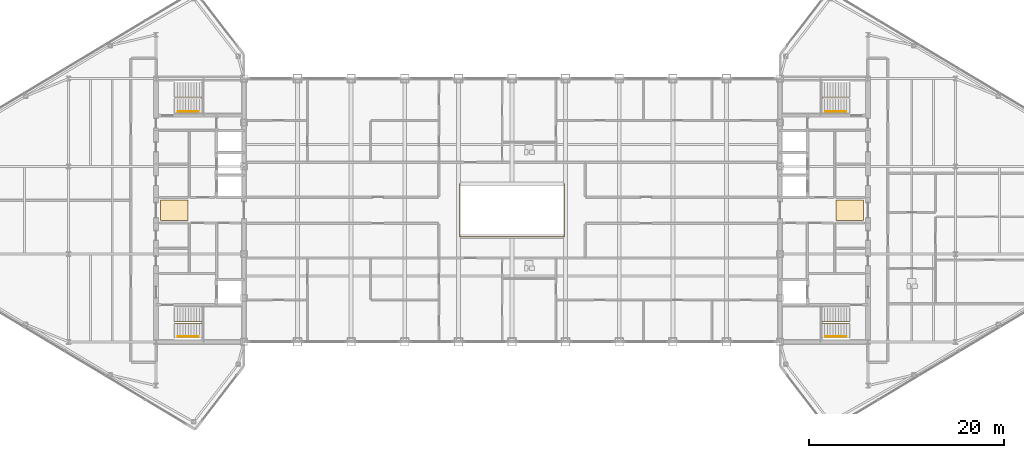
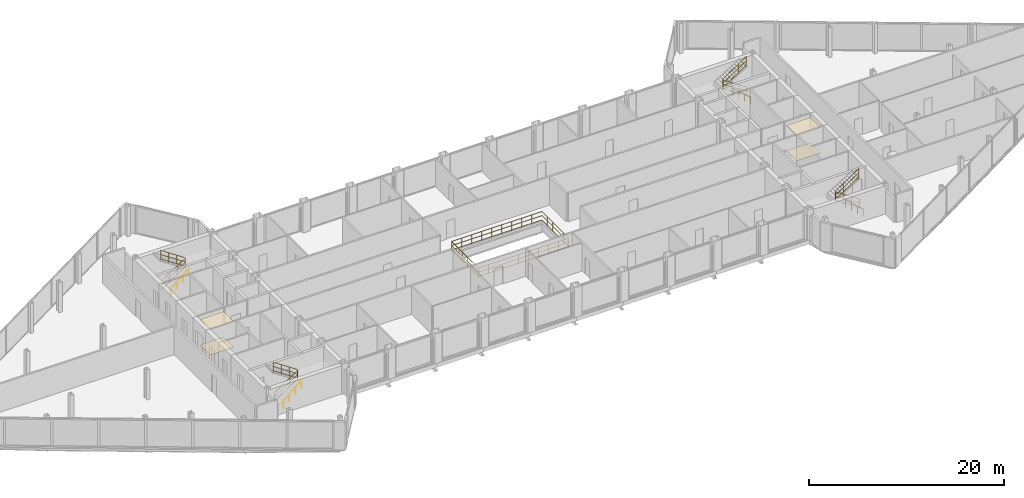
# One storey, part 28 of 29: 9 railings, 4 coverings.
"""IFC4 building model written with IfcOpenShell, lengths in metres."""

from ifc_helpers import new_model, si_unit, direction, frame, origin, origin_2d, place, context, subcontext, project, spatial, polyline, circle, outline, extrude, material, layer, layer_set, type_object, element, save


model = new_model("IFC4")

# Units and contexts
model_context = context("Model", 3, precision=1e-05, world=origin(), true_north=direction((0.0, 1.0)))
body_context = subcontext(model_context, "Body", "Model", "MODEL_VIEW")
ifc_project = project(units=[si_unit("LENGTHUNIT", "METRE"), si_unit("AREAUNIT", "SQUARE_METRE"), si_unit("VOLUMEUNIT", "CUBIC_METRE"), si_unit("PLANEANGLEUNIT", "RADIAN"), si_unit("MASSUNIT", "GRAM", prefix="KILO")], contexts=[model_context])

# Site, building, storey
site_placement = place(None, origin())
site = spatial("IfcSite", under=ifc_project, at=site_placement, CompositionType="ELEMENT")
building_placement = place(site_placement, origin())
building = spatial("IfcBuilding", under=site, at=building_placement, Name="Seokmaru Belvedere", CompositionType="ELEMENT")
storey_placement = place(building_placement, frame((0.0, 0.0, 258.14990234375)))
storey = spatial("IfcBuildingStorey", under=building, at=storey_placement, Name="L68", CompositionType="ELEMENT", Elevation=258.14990234375)

# Coverings
ifc_material_1 = material(Name="Engineered White Oak Timber", Category="wood")
ifc_layer_1 = layer(ifc_material_1, 0.02197265625)
ifc_layer_set_1 = layer_set([ifc_layer_1], Name="Engineered White Oak Timber")
covering_type_1 = type_object("IfcCoveringType", Name="Engineered Oak Residence Floor Finish 22", PredefinedType="FLOORING", material=ifc_layer_set_1)
covering_1_placement = place(storey_placement, origin())
element("IfcCovering", 1, at=covering_1_placement, inside=storey, type_object=covering_type_1, Name="L68 W Foyer Floor Finish", PredefinedType="FLOORING", context=body_context, shape_type="SweptSolid", body=[
    extrude(outline(polyline([(-36.050048828125, -1.050048828125), (-33.25, -1.050048828125), (-33.25, 1.050048828125), (-36.050048828125, 1.050048828125), (-36.050048828125, -1.050048828125)])), origin(), (0.0, 0.0, 1.0), 0.022216796875),
])
covering_2_placement = place(storey_placement, origin())
element("IfcCovering", 2, at=covering_2_placement, inside=storey, type_object=covering_type_1, Name="L68 E Foyer Floor Finish", PredefinedType="FLOORING", context=body_context, shape_type="SweptSolid", body=[
    extrude(outline(polyline([(33.25, -1.050048828125), (36.050048828125, -1.050048828125), (36.050048828125, 1.050048828125), (33.25, 1.050048828125), (33.25, -1.050048828125)])), origin(), (0.0, 0.0, 1.0), 0.022216796875),
])
ifc_material_2 = material(Name="Fire-Rated Gypsum Shaftwall")
ifc_layer_2 = layer(ifc_material_2, 0.02490234375)
ifc_layer_set_2 = layer_set([ifc_layer_2], Name="Fire-Rated Gypsum Shaftwall")
covering_type_2 = type_object("IfcCoveringType", Name="Perforated Acoustic Gypsum Suspended Ceiling 25", PredefinedType="CEILING", material=ifc_layer_set_2)
covering_3_placement = place(storey_placement, frame((0.0, 0.0, 3.18017578125)))
element("IfcCovering", 3, at=covering_3_placement, inside=storey, type_object=covering_type_2, Name="L68 W Lift Foyer Acoustic Ceiling", PredefinedType="CEILING", context=body_context, shape_type="SweptSolid", body=[
    extrude(outline(polyline([(-36.050048828125, -1.050048828125), (-33.25, -1.050048828125), (-33.25, 1.050048828125), (-36.050048828125, 1.050048828125), (-36.050048828125, -1.050048828125)])), origin(), (0.0, 0.0, 1.0), 0.02490234375),
])
covering_4_placement = place(storey_placement, frame((0.0, 0.0, 3.18017578125)))
element("IfcCovering", 4, at=covering_4_placement, inside=storey, type_object=covering_type_2, Name="L68 E Lift Foyer Acoustic Ceiling", PredefinedType="CEILING", context=body_context, shape_type="SweptSolid", body=[
    extrude(outline(polyline([(33.25, -1.050048828125), (36.050048828125, -1.050048828125), (36.050048828125, 1.050048828125), (33.25, 1.050048828125), (33.25, -1.050048828125)])), origin(), (0.0, 0.0, 1.0), 0.02490234375),
])

# Railings
ifc_material_3 = material(Name="Stainless Steel 316", Category="steel")
railing_type_1 = type_object("IfcRailingType", Name="Stainless Steel Wall and Flight Handrail 900", PredefinedType="HANDRAIL", material=ifc_material_3)
for number, where, name in (
    (5, (-34.25, -12.949951171875, 0.0), "L68 Stair ST-W1 Wall Handrail"),
    (6, (-34.25, 10.110107421875, 0.0), "L68 Stair ST-W2 Wall Handrail"),
):
    element("IfcRailing", number, at=place(storey_placement, frame(where)), inside=storey, type_object=railing_type_1, Name=name, PredefinedType="HANDRAIL", context=body_context, shape_type="SweptSolid", body=[
        extrude(circle(Radius=0.02392578125, at=origin_2d()), frame((0.0, 0.0, 0.8759765625), z_axis=(0.74595304797, 0.0, 0.665998536202), x_axis=(0.0, 1.0, 0.0)), (0.0, 0.0, 1.0), 2.8154296875),
        extrude(circle(Radius=0.02099609375, at=origin_2d()), origin(), (0.0, 0.0, 1.0), 0.851806640625),
        extrude(circle(Radius=0.02099609375, at=origin_2d()), frame((0.699951171875, 0.0, 0.625)), (0.0, 0.0, 1.0), 0.851806640625),
        extrude(circle(Radius=0.02099609375, at=origin_2d()), frame((1.400146484375, 0.0, 1.25)), (0.0, 0.0, 1.0), 0.851806640625),
        extrude(circle(Radius=0.02099609375, at=origin_2d()), frame((2.10009765625, 0.0, 1.875)), (0.0, 0.0, 1.0), 0.851806640625),
    ])
for number, where, name in (
    (7, (34.25, -12.949951171875, 0.0), "L68 Stair ST-E1 Wall Handrail"),
    (8, (34.25, 10.110107421875, 0.0), "L68 Stair ST-E2 Wall Handrail"),
):
    element("IfcRailing", number, at=place(storey_placement, frame(where)), inside=storey, type_object=railing_type_1, Name=name, PredefinedType="HANDRAIL", context=body_context, shape_type="SweptSolid", body=[
        extrude(circle(Radius=0.02392578125, at=origin_2d()), frame((0.0, 0.0, 0.8759765625), z_axis=(-0.74595304797, 0.0, 0.665998536202), x_axis=(0.0, -1.0, 0.0)), (0.0, 0.0, 1.0), 2.8154296875),
        extrude(circle(Radius=0.02099609375, at=origin_2d()), origin(), (0.0, 0.0, 1.0), 0.851806640625),
        extrude(circle(Radius=0.02099609375, at=origin_2d()), frame((-0.699951171875, 0.0, 0.625)), (0.0, 0.0, 1.0), 0.851806640625),
        extrude(circle(Radius=0.02099609375, at=origin_2d()), frame((-1.400146484375, 0.0, 1.25)), (0.0, 0.0, 1.0), 0.851806640625),
        extrude(circle(Radius=0.02099609375, at=origin_2d()), frame((-2.10009765625, 0.0, 1.875)), (0.0, 0.0, 1.0), 0.851806640625),
    ])
railing_type_2 = type_object("IfcRailingType", Name="Stair Well and Atrium Steel Guardrail 1200", PredefinedType="GUARDRAIL", material=ifc_material_3)
railing_1_placement = place(storey_placement, frame((-34.60009765625, -11.60009765625, 0.0)))
element("IfcRailing", 9, at=railing_1_placement, inside=storey, type_object=railing_type_2, Name="L68 Stair ST-W1 Inner Well Guardrail", PredefinedType="GUARDRAIL", context=body_context, shape_type="SweptSolid", body=[
    extrude(circle(Radius=0.02392578125, at=origin_2d()), frame((0.0, 0.0, 1.17578125), z_axis=(0.830911662861, 0.0, 0.55640435703), x_axis=(0.0, 1.0, 0.0)), (0.0, 0.0, 1.0), 3.369873046875),
    extrude(circle(Radius=0.02392578125, at=origin_2d()), frame((0.0, 0.0, 0.1201171875), z_axis=(0.830911662861, 0.0, 0.55640435703), x_axis=(0.0, 1.0, 0.0)), (0.0, 0.0, 1.0), 3.369873046875),
    extrude(circle(Radius=0.02392578125, at=origin_2d()), frame((0.0, 0.0, 0.659912109375), z_axis=(0.830911662861, 0.0, 0.55640435703), x_axis=(0.0, 1.0, 0.0)), (0.0, 0.0, 1.0), 3.369873046875),
    extrude(circle(Radius=0.02392578125, at=origin_2d()), frame((2.800048828125, 0.0, 3.05078125), z_axis=(0.0, 1.0, 0.0), x_axis=(-1.0, 0.0, 0.0)), (0.0, 0.0, 1.0), 0.14013671875),
    extrude(circle(Radius=0.02392578125, at=origin_2d()), frame((2.800048828125, 0.0, 1.9951171875), z_axis=(0.0, 1.0, 0.0), x_axis=(-1.0, 0.0, 0.0)), (0.0, 0.0, 1.0), 0.14013671875),
    extrude(circle(Radius=0.02392578125, at=origin_2d()), frame((2.800048828125, 0.0, 2.534912109375), z_axis=(0.0, 1.0, 0.0), x_axis=(-1.0, 0.0, 0.0)), (0.0, 0.0, 1.0), 0.14013671875),
    extrude(circle(Radius=0.02392578125, at=origin_2d()), frame((2.800048828125, 0.14013671875, 3.05078125), z_axis=(-0.830911662861, 0.0, 0.55640435703), x_axis=(0.0, -1.0, 0.0)), (0.0, 0.0, 1.0), 3.369873046875),
    extrude(circle(Radius=0.02392578125, at=origin_2d()), frame((2.800048828125, 0.14013671875, 1.9951171875), z_axis=(-0.830911662861, 0.0, 0.55640435703), x_axis=(0.0, -1.0, 0.0)), (0.0, 0.0, 1.0), 3.369873046875),
    extrude(circle(Radius=0.02392578125, at=origin_2d()), frame((2.800048828125, 0.14013671875, 2.534912109375), z_axis=(-0.830911662861, 0.0, 0.55640435703), x_axis=(0.0, -1.0, 0.0)), (0.0, 0.0, 1.0), 3.369873046875),
    extrude(circle(Radius=0.02099609375, at=origin_2d()), origin(), (0.0, 0.0, 1.0), 1.15185546875),
    extrude(circle(Radius=0.02099609375, at=origin_2d()), frame((0.933349609375, 0.0, 0.625)), (0.0, 0.0, 1.0), 1.15185546875),
    extrude(circle(Radius=0.02099609375, at=origin_2d()), frame((1.86669921875, 0.0, 1.25)), (0.0, 0.0, 1.0), 1.15185546875),
    extrude(circle(Radius=0.02099609375, at=origin_2d()), frame((2.800048828125, 0.0, 1.875)), (0.0, 0.0, 1.0), 1.15185546875),
    extrude(circle(Radius=0.02099609375, at=origin_2d()), frame((2.800048828125, 0.14013671875, 1.875)), (0.0, 0.0, 1.0), 1.15185546875),
    extrude(circle(Radius=0.02099609375, at=origin_2d()), frame((1.86669921875, 0.14013671875, 2.5)), (0.0, 0.0, 1.0), 1.15185546875),
    extrude(circle(Radius=0.02099609375, at=origin_2d()), frame((0.933349609375, 0.14013671875, 3.125)), (0.0, 0.0, 1.0), 1.15185546875),
    extrude(circle(Radius=0.02099609375, at=origin_2d()), frame((0.0, 0.14013671875, 3.75)), (0.0, 0.0, 1.0), 1.15185546875),
])
railing_2_placement = place(storey_placement, frame((-34.60009765625, 11.4599609375, 0.0)))
element("IfcRailing", 10, at=railing_2_placement, inside=storey, type_object=railing_type_2, Name="L68 Stair ST-W2 Inner Well Guardrail", PredefinedType="GUARDRAIL", context=body_context, shape_type="SweptSolid", body=[
    extrude(circle(Radius=0.02392578125, at=origin_2d()), frame((0.0, 0.0, 1.17578125), z_axis=(0.830911662861, 0.0, 0.55640435703), x_axis=(0.0, 1.0, 0.0)), (0.0, 0.0, 1.0), 3.369873046875),
    extrude(circle(Radius=0.02392578125, at=origin_2d()), frame((0.0, 0.0, 0.1201171875), z_axis=(0.830911662861, 0.0, 0.55640435703), x_axis=(0.0, 1.0, 0.0)), (0.0, 0.0, 1.0), 3.369873046875),
    extrude(circle(Radius=0.02392578125, at=origin_2d()), frame((0.0, 0.0, 0.659912109375), z_axis=(0.830911662861, 0.0, 0.55640435703), x_axis=(0.0, 1.0, 0.0)), (0.0, 0.0, 1.0), 3.369873046875),
    extrude(circle(Radius=0.02392578125, at=origin_2d()), frame((2.800048828125, 0.0, 3.05078125), z_axis=(0.0, 1.0, 0.0), x_axis=(-1.0, 0.0, 0.0)), (0.0, 0.0, 1.0), 0.14013671875),
    extrude(circle(Radius=0.02392578125, at=origin_2d()), frame((2.800048828125, 0.0, 1.9951171875), z_axis=(0.0, 1.0, 0.0), x_axis=(-1.0, 0.0, 0.0)), (0.0, 0.0, 1.0), 0.14013671875),
    extrude(circle(Radius=0.02392578125, at=origin_2d()), frame((2.800048828125, 0.0, 2.534912109375), z_axis=(0.0, 1.0, 0.0), x_axis=(-1.0, 0.0, 0.0)), (0.0, 0.0, 1.0), 0.14013671875),
    extrude(circle(Radius=0.02392578125, at=origin_2d()), frame((2.800048828125, 0.14013671875, 3.05078125), z_axis=(-0.830911662861, 0.0, 0.55640435703), x_axis=(0.0, -1.0, 0.0)), (0.0, 0.0, 1.0), 3.369873046875),
    extrude(circle(Radius=0.02392578125, at=origin_2d()), frame((2.800048828125, 0.14013671875, 1.9951171875), z_axis=(-0.830911662861, 0.0, 0.55640435703), x_axis=(0.0, -1.0, 0.0)), (0.0, 0.0, 1.0), 3.369873046875),
    extrude(circle(Radius=0.02392578125, at=origin_2d()), frame((2.800048828125, 0.14013671875, 2.534912109375), z_axis=(-0.830911662861, 0.0, 0.55640435703), x_axis=(0.0, -1.0, 0.0)), (0.0, 0.0, 1.0), 3.369873046875),
    extrude(circle(Radius=0.02099609375, at=origin_2d()), origin(), (0.0, 0.0, 1.0), 1.15185546875),
    extrude(circle(Radius=0.02099609375, at=origin_2d()), frame((0.933349609375, 0.0, 0.625)), (0.0, 0.0, 1.0), 1.15185546875),
    extrude(circle(Radius=0.02099609375, at=origin_2d()), frame((1.86669921875, 0.0, 1.25)), (0.0, 0.0, 1.0), 1.15185546875),
    extrude(circle(Radius=0.02099609375, at=origin_2d()), frame((2.800048828125, 0.0, 1.875)), (0.0, 0.0, 1.0), 1.15185546875),
    extrude(circle(Radius=0.02099609375, at=origin_2d()), frame((2.800048828125, 0.14013671875, 1.875)), (0.0, 0.0, 1.0), 1.15185546875),
    extrude(circle(Radius=0.02099609375, at=origin_2d()), frame((1.86669921875, 0.14013671875, 2.5)), (0.0, 0.0, 1.0), 1.15185546875),
    extrude(circle(Radius=0.02099609375, at=origin_2d()), frame((0.933349609375, 0.14013671875, 3.125)), (0.0, 0.0, 1.0), 1.15185546875),
    extrude(circle(Radius=0.02099609375, at=origin_2d()), frame((0.0, 0.14013671875, 3.75)), (0.0, 0.0, 1.0), 1.15185546875),
])
railing_3_placement = place(storey_placement, frame((34.60009765625, -11.60009765625, 0.0)))
element("IfcRailing", 11, at=railing_3_placement, inside=storey, type_object=railing_type_2, Name="L68 Stair ST-E1 Inner Well Guardrail", PredefinedType="GUARDRAIL", context=body_context, shape_type="SweptSolid", body=[
    extrude(circle(Radius=0.02392578125, at=origin_2d()), frame((0.0, 0.0, 1.17578125), z_axis=(-0.830911662861, 0.0, 0.55640435703), x_axis=(0.0, -1.0, 0.0)), (0.0, 0.0, 1.0), 3.369873046875),
    extrude(circle(Radius=0.02392578125, at=origin_2d()), frame((0.0, 0.0, 0.1201171875), z_axis=(-0.830911662861, 0.0, 0.55640435703), x_axis=(0.0, -1.0, 0.0)), (0.0, 0.0, 1.0), 3.369873046875),
    extrude(circle(Radius=0.02392578125, at=origin_2d()), frame((0.0, 0.0, 0.659912109375), z_axis=(-0.830911662861, 0.0, 0.55640435703), x_axis=(0.0, -1.0, 0.0)), (0.0, 0.0, 1.0), 3.369873046875),
    extrude(circle(Radius=0.02392578125, at=origin_2d()), frame((-2.800048828125, 0.0, 3.05078125), z_axis=(0.0, 1.0, 0.0), x_axis=(-1.0, 0.0, 0.0)), (0.0, 0.0, 1.0), 0.14013671875),
    extrude(circle(Radius=0.02392578125, at=origin_2d()), frame((-2.800048828125, 0.0, 1.9951171875), z_axis=(0.0, 1.0, 0.0), x_axis=(-1.0, 0.0, 0.0)), (0.0, 0.0, 1.0), 0.14013671875),
    extrude(circle(Radius=0.02392578125, at=origin_2d()), frame((-2.800048828125, 0.0, 2.534912109375), z_axis=(0.0, 1.0, 0.0), x_axis=(-1.0, 0.0, 0.0)), (0.0, 0.0, 1.0), 0.14013671875),
    extrude(circle(Radius=0.02392578125, at=origin_2d()), frame((-2.800048828125, 0.14013671875, 3.05078125), z_axis=(0.830911662861, 0.0, 0.55640435703), x_axis=(0.0, 1.0, 0.0)), (0.0, 0.0, 1.0), 3.369873046875),
    extrude(circle(Radius=0.02392578125, at=origin_2d()), frame((-2.800048828125, 0.14013671875, 1.9951171875), z_axis=(0.830911662861, 0.0, 0.55640435703), x_axis=(0.0, 1.0, 0.0)), (0.0, 0.0, 1.0), 3.369873046875),
    extrude(circle(Radius=0.02392578125, at=origin_2d()), frame((-2.800048828125, 0.14013671875, 2.534912109375), z_axis=(0.830911662861, 0.0, 0.55640435703), x_axis=(0.0, 1.0, 0.0)), (0.0, 0.0, 1.0), 3.369873046875),
    extrude(circle(Radius=0.02099609375, at=origin_2d()), origin(), (0.0, 0.0, 1.0), 1.15185546875),
    extrude(circle(Radius=0.02099609375, at=origin_2d()), frame((-0.933349609375, 0.0, 0.625)), (0.0, 0.0, 1.0), 1.15185546875),
    extrude(circle(Radius=0.02099609375, at=origin_2d()), frame((-1.86669921875, 0.0, 1.25)), (0.0, 0.0, 1.0), 1.15185546875),
    extrude(circle(Radius=0.02099609375, at=origin_2d()), frame((-2.800048828125, 0.0, 1.875)), (0.0, 0.0, 1.0), 1.15185546875),
    extrude(circle(Radius=0.02099609375, at=origin_2d()), frame((-2.800048828125, 0.14013671875, 1.875)), (0.0, 0.0, 1.0), 1.15185546875),
    extrude(circle(Radius=0.02099609375, at=origin_2d()), frame((-1.86669921875, 0.14013671875, 2.5)), (0.0, 0.0, 1.0), 1.15185546875),
    extrude(circle(Radius=0.02099609375, at=origin_2d()), frame((-0.933349609375, 0.14013671875, 3.125)), (0.0, 0.0, 1.0), 1.15185546875),
    extrude(circle(Radius=0.02099609375, at=origin_2d()), frame((0.0, 0.14013671875, 3.75)), (0.0, 0.0, 1.0), 1.15185546875),
])
railing_4_placement = place(storey_placement, frame((34.60009765625, 11.4599609375, 0.0)))
element("IfcRailing", 12, at=railing_4_placement, inside=storey, type_object=railing_type_2, Name="L68 Stair ST-E2 Inner Well Guardrail", PredefinedType="GUARDRAIL", context=body_context, shape_type="SweptSolid", body=[
    extrude(circle(Radius=0.02392578125, at=origin_2d()), frame((0.0, 0.0, 1.17578125), z_axis=(-0.830911662861, 0.0, 0.55640435703), x_axis=(0.0, -1.0, 0.0)), (0.0, 0.0, 1.0), 3.369873046875),
    extrude(circle(Radius=0.02392578125, at=origin_2d()), frame((0.0, 0.0, 0.1201171875), z_axis=(-0.830911662861, 0.0, 0.55640435703), x_axis=(0.0, -1.0, 0.0)), (0.0, 0.0, 1.0), 3.369873046875),
    extrude(circle(Radius=0.02392578125, at=origin_2d()), frame((0.0, 0.0, 0.659912109375), z_axis=(-0.830911662861, 0.0, 0.55640435703), x_axis=(0.0, -1.0, 0.0)), (0.0, 0.0, 1.0), 3.369873046875),
    extrude(circle(Radius=0.02392578125, at=origin_2d()), frame((-2.800048828125, 0.0, 3.05078125), z_axis=(0.0, 1.0, 0.0), x_axis=(-1.0, 0.0, 0.0)), (0.0, 0.0, 1.0), 0.14013671875),
    extrude(circle(Radius=0.02392578125, at=origin_2d()), frame((-2.800048828125, 0.0, 1.9951171875), z_axis=(0.0, 1.0, 0.0), x_axis=(-1.0, 0.0, 0.0)), (0.0, 0.0, 1.0), 0.14013671875),
    extrude(circle(Radius=0.02392578125, at=origin_2d()), frame((-2.800048828125, 0.0, 2.534912109375), z_axis=(0.0, 1.0, 0.0), x_axis=(-1.0, 0.0, 0.0)), (0.0, 0.0, 1.0), 0.14013671875),
    extrude(circle(Radius=0.02392578125, at=origin_2d()), frame((-2.800048828125, 0.14013671875, 3.05078125), z_axis=(0.830911662861, 0.0, 0.55640435703), x_axis=(0.0, 1.0, 0.0)), (0.0, 0.0, 1.0), 3.369873046875),
    extrude(circle(Radius=0.02392578125, at=origin_2d()), frame((-2.800048828125, 0.14013671875, 1.9951171875), z_axis=(0.830911662861, 0.0, 0.55640435703), x_axis=(0.0, 1.0, 0.0)), (0.0, 0.0, 1.0), 3.369873046875),
    extrude(circle(Radius=0.02392578125, at=origin_2d()), frame((-2.800048828125, 0.14013671875, 2.534912109375), z_axis=(0.830911662861, 0.0, 0.55640435703), x_axis=(0.0, 1.0, 0.0)), (0.0, 0.0, 1.0), 3.369873046875),
    extrude(circle(Radius=0.02099609375, at=origin_2d()), origin(), (0.0, 0.0, 1.0), 1.15185546875),
    extrude(circle(Radius=0.02099609375, at=origin_2d()), frame((-0.933349609375, 0.0, 0.625)), (0.0, 0.0, 1.0), 1.15185546875),
    extrude(circle(Radius=0.02099609375, at=origin_2d()), frame((-1.86669921875, 0.0, 1.25)), (0.0, 0.0, 1.0), 1.15185546875),
    extrude(circle(Radius=0.02099609375, at=origin_2d()), frame((-2.800048828125, 0.0, 1.875)), (0.0, 0.0, 1.0), 1.15185546875),
    extrude(circle(Radius=0.02099609375, at=origin_2d()), frame((-2.800048828125, 0.14013671875, 1.875)), (0.0, 0.0, 1.0), 1.15185546875),
    extrude(circle(Radius=0.02099609375, at=origin_2d()), frame((-1.86669921875, 0.14013671875, 2.5)), (0.0, 0.0, 1.0), 1.15185546875),
    extrude(circle(Radius=0.02099609375, at=origin_2d()), frame((-0.933349609375, 0.14013671875, 3.125)), (0.0, 0.0, 1.0), 1.15185546875),
    extrude(circle(Radius=0.02099609375, at=origin_2d()), frame((0.0, 0.14013671875, 3.75)), (0.0, 0.0, 1.0), 1.15185546875),
])
railing_5_placement = place(storey_placement, frame((-5.340087890625, -2.739990234375, 0.0)))
element("IfcRailing", 13, at=railing_5_placement, inside=storey, type_object=railing_type_2, Name="L68 Sky-Gate Atrium Void Balustrade", PredefinedType="GUARDRAIL", context=body_context, shape_type="SweptSolid", body=[
    extrude(circle(Radius=0.02392578125, at=origin_2d()), frame((0.0, 0.0, 1.17578125), z_axis=(1.0, 0.0, 0.0), x_axis=(0.0, 1.0, 0.0)), (0.0, 0.0, 1.0), 10.68017578125),
    extrude(circle(Radius=0.02392578125, at=origin_2d()), frame((0.0, 0.0, 0.1201171875), z_axis=(1.0, 0.0, 0.0), x_axis=(0.0, 1.0, 0.0)), (0.0, 0.0, 1.0), 10.68017578125),
    extrude(circle(Radius=0.02392578125, at=origin_2d()), frame((0.0, 0.0, 0.659912109375), z_axis=(1.0, 0.0, 0.0), x_axis=(0.0, 1.0, 0.0)), (0.0, 0.0, 1.0), 10.68017578125),
    extrude(circle(Radius=0.02392578125, at=origin_2d()), frame((10.68017578125, 0.0, 1.17578125), z_axis=(0.0, 1.0, 0.0), x_axis=(-1.0, 0.0, 0.0)), (0.0, 0.0, 1.0), 5.47998046875),
    extrude(circle(Radius=0.02392578125, at=origin_2d()), frame((10.68017578125, 0.0, 0.1201171875), z_axis=(0.0, 1.0, 0.0), x_axis=(-1.0, 0.0, 0.0)), (0.0, 0.0, 1.0), 5.47998046875),
    extrude(circle(Radius=0.02392578125, at=origin_2d()), frame((10.68017578125, 0.0, 0.659912109375), z_axis=(0.0, 1.0, 0.0), x_axis=(-1.0, 0.0, 0.0)), (0.0, 0.0, 1.0), 5.47998046875),
    extrude(circle(Radius=0.02392578125, at=origin_2d()), frame((10.68017578125, 5.47998046875, 1.17578125), z_axis=(-1.0, 0.0, 0.0), x_axis=(0.0, -1.0, 0.0)), (0.0, 0.0, 1.0), 10.68017578125),
    extrude(circle(Radius=0.02392578125, at=origin_2d()), frame((10.68017578125, 5.47998046875, 0.1201171875), z_axis=(-1.0, 0.0, 0.0), x_axis=(0.0, -1.0, 0.0)), (0.0, 0.0, 1.0), 10.68017578125),
    extrude(circle(Radius=0.02392578125, at=origin_2d()), frame((10.68017578125, 5.47998046875, 0.659912109375), z_axis=(-1.0, 0.0, 0.0), x_axis=(0.0, -1.0, 0.0)), (0.0, 0.0, 1.0), 10.68017578125),
    extrude(circle(Radius=0.02392578125, at=origin_2d()), frame((0.0, 5.47998046875, 1.17578125), z_axis=(0.0, -1.0, 0.0), x_axis=(1.0, 0.0, 0.0)), (0.0, 0.0, 1.0), 5.47998046875),
    extrude(circle(Radius=0.02392578125, at=origin_2d()), frame((0.0, 5.47998046875, 0.1201171875), z_axis=(0.0, -1.0, 0.0), x_axis=(1.0, 0.0, 0.0)), (0.0, 0.0, 1.0), 5.47998046875),
    extrude(circle(Radius=0.02392578125, at=origin_2d()), frame((0.0, 5.47998046875, 0.659912109375), z_axis=(0.0, -1.0, 0.0), x_axis=(1.0, 0.0, 0.0)), (0.0, 0.0, 1.0), 5.47998046875),
    extrude(circle(Radius=0.02099609375, at=origin_2d()), origin(), (0.0, 0.0, 1.0), 1.15185546875),
    extrude(circle(Radius=0.02099609375, at=origin_2d()), frame((1.186767578125, 0.0, 0.0)), (0.0, 0.0, 1.0), 1.15185546875),
    extrude(circle(Radius=0.02099609375, at=origin_2d()), frame((2.373291015625, 0.0, 0.0)), (0.0, 0.0, 1.0), 1.15185546875),
    extrude(circle(Radius=0.02099609375, at=origin_2d()), frame((3.56005859375, 0.0, 0.0)), (0.0, 0.0, 1.0), 1.15185546875),
    extrude(circle(Radius=0.02099609375, at=origin_2d()), frame((4.746826171875, 0.0, 0.0)), (0.0, 0.0, 1.0), 1.15185546875),
    extrude(circle(Radius=0.02099609375, at=origin_2d()), frame((5.933349609375, 0.0, 0.0)), (0.0, 0.0, 1.0), 1.15185546875),
    extrude(circle(Radius=0.02099609375, at=origin_2d()), frame((7.1201171875, 0.0, 0.0)), (0.0, 0.0, 1.0), 1.15185546875),
    extrude(circle(Radius=0.02099609375, at=origin_2d()), frame((8.306884765625, 0.0, 0.0)), (0.0, 0.0, 1.0), 1.15185546875),
    extrude(circle(Radius=0.02099609375, at=origin_2d()), frame((9.493408203125, 0.0, 0.0)), (0.0, 0.0, 1.0), 1.15185546875),
    extrude(circle(Radius=0.02099609375, at=origin_2d()), frame((10.68017578125, 0.0, 0.0)), (0.0, 0.0, 1.0), 1.15185546875),
    extrude(circle(Radius=0.02099609375, at=origin_2d()), frame((10.68017578125, 1.095947265625, 0.0)), (0.0, 0.0, 1.0), 1.15185546875),
    extrude(circle(Radius=0.02099609375, at=origin_2d()), frame((10.68017578125, 2.19189453125, 0.0)), (0.0, 0.0, 1.0), 1.15185546875),
    extrude(circle(Radius=0.02099609375, at=origin_2d()), frame((10.68017578125, 3.2880859375, 0.0)), (0.0, 0.0, 1.0), 1.15185546875),
    extrude(circle(Radius=0.02099609375, at=origin_2d()), frame((10.68017578125, 4.384033203125, 0.0)), (0.0, 0.0, 1.0), 1.15185546875),
    extrude(circle(Radius=0.02099609375, at=origin_2d()), frame((10.68017578125, 5.47998046875, 0.0)), (0.0, 0.0, 1.0), 1.15185546875),
    extrude(circle(Radius=0.02099609375, at=origin_2d()), frame((9.493408203125, 5.47998046875, 0.0)), (0.0, 0.0, 1.0), 1.15185546875),
    extrude(circle(Radius=0.02099609375, at=origin_2d()), frame((8.306884765625, 5.47998046875, 0.0)), (0.0, 0.0, 1.0), 1.15185546875),
    extrude(circle(Radius=0.02099609375, at=origin_2d()), frame((7.1201171875, 5.47998046875, 0.0)), (0.0, 0.0, 1.0), 1.15185546875),
    extrude(circle(Radius=0.02099609375, at=origin_2d()), frame((5.933349609375, 5.47998046875, 0.0)), (0.0, 0.0, 1.0), 1.15185546875),
    extrude(circle(Radius=0.02099609375, at=origin_2d()), frame((4.746826171875, 5.47998046875, 0.0)), (0.0, 0.0, 1.0), 1.15185546875),
    extrude(circle(Radius=0.02099609375, at=origin_2d()), frame((3.56005859375, 5.47998046875, 0.0)), (0.0, 0.0, 1.0), 1.15185546875),
    extrude(circle(Radius=0.02099609375, at=origin_2d()), frame((2.373291015625, 5.47998046875, 0.0)), (0.0, 0.0, 1.0), 1.15185546875),
    extrude(circle(Radius=0.02099609375, at=origin_2d()), frame((1.186767578125, 5.47998046875, 0.0)), (0.0, 0.0, 1.0), 1.15185546875),
    extrude(circle(Radius=0.02099609375, at=origin_2d()), frame((0.0, 5.47998046875, 0.0)), (0.0, 0.0, 1.0), 1.15185546875),
    extrude(circle(Radius=0.02099609375, at=origin_2d()), frame((0.0, 4.384033203125, 0.0)), (0.0, 0.0, 1.0), 1.15185546875),
    extrude(circle(Radius=0.02099609375, at=origin_2d()), frame((0.0, 3.2880859375, 0.0)), (0.0, 0.0, 1.0), 1.15185546875),
    extrude(circle(Radius=0.02099609375, at=origin_2d()), frame((0.0, 2.19189453125, 0.0)), (0.0, 0.0, 1.0), 1.15185546875),
    extrude(circle(Radius=0.02099609375, at=origin_2d()), frame((0.0, 1.095947265625, 0.0)), (0.0, 0.0, 1.0), 1.15185546875),
])

save(model, "model.ifc")
